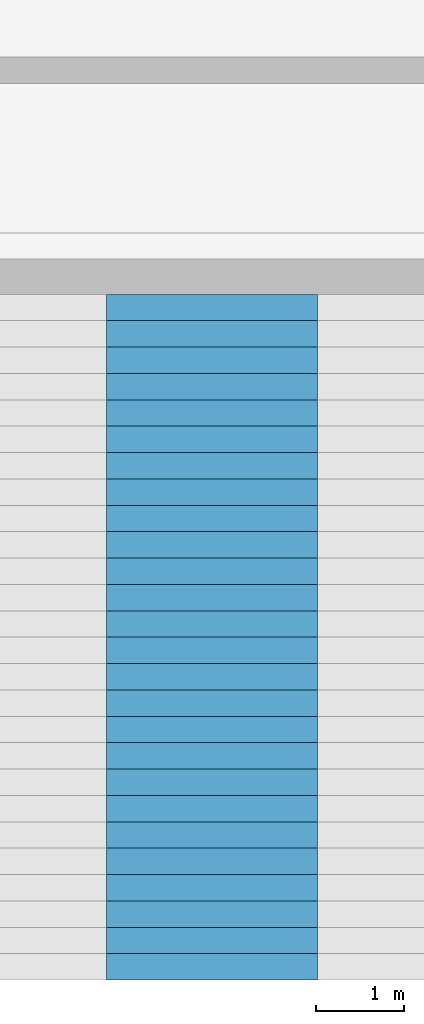
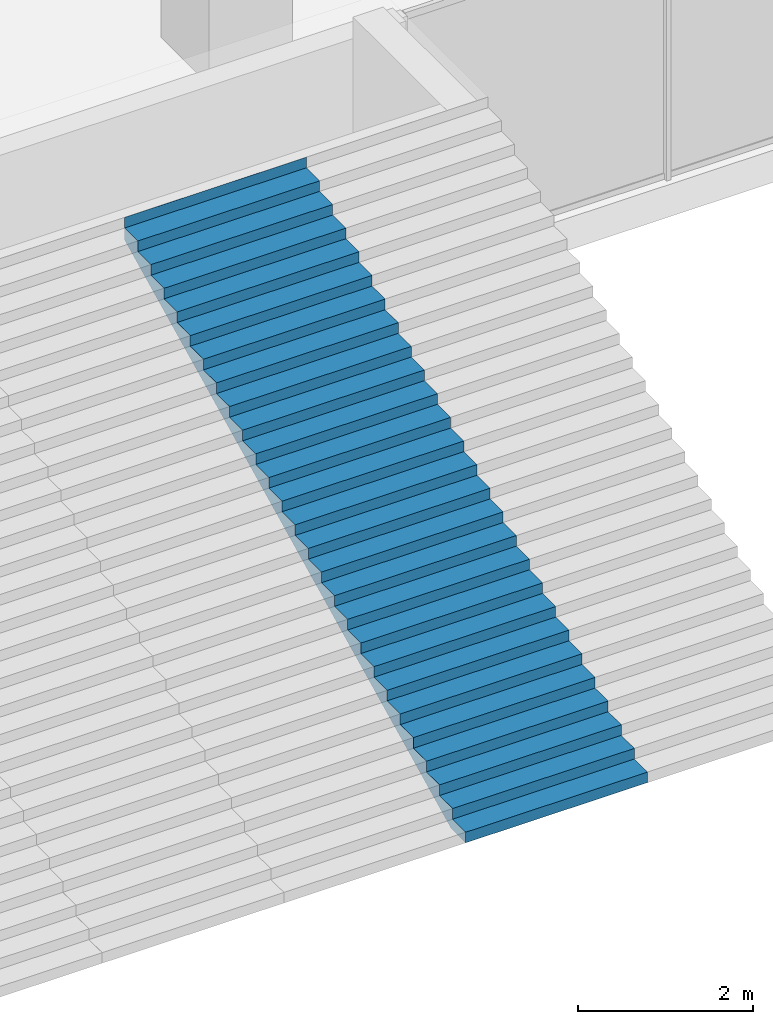
# One storey, part 31 of 45: 1 stair flight, 1 element without a shape of its own.
"""IFC4 building model written with IfcOpenShell, lengths in metres."""

from ifc_helpers import new_model, si_unit, direction, frame, origin, place, context, subcontext, project, spatial, triangles, material, type_object, element, aggregate, save


model = new_model("IFC4")

# Units and contexts
model_context = context("Model", 3, precision=1e-05, world=origin(), true_north=direction((0.0, 1.0)))
body_context = subcontext(model_context, "Body", "Model", "MODEL_VIEW")
ifc_project = project(units=[si_unit("LENGTHUNIT", "METRE"), si_unit("AREAUNIT", "SQUARE_METRE"), si_unit("VOLUMEUNIT", "CUBIC_METRE"), si_unit("PLANEANGLEUNIT", "RADIAN"), si_unit("MASSUNIT", "GRAM", prefix="KILO")], contexts=[model_context])

# Site, building, storey
site_placement = place(None, origin())
site = spatial("IfcSite", under=ifc_project, at=site_placement, CompositionType="ELEMENT")
building_placement = place(site_placement, origin())
building = spatial("IfcBuilding", under=site, at=building_placement, Name="Beryl Residences", CompositionType="ELEMENT")
storey_placement = place(building_placement, frame((0.0, 0.0, 5.0)))
storey = spatial("IfcBuildingStorey", under=building, at=storey_placement, Name="L01", CompositionType="ELEMENT", Elevation=5.0)

# Stair, stair flight
ifc_material_1 = material(Name="Precast concrete C40/50", Category="concrete")
stair_type = type_object("IfcStairType", Name="GS2 garden stair", PredefinedType="STRAIGHT_RUN_STAIR", material=ifc_material_1)
stair_placement = place(storey_placement, origin())
stair = element("IfcStair", 1, at=stair_placement, inside=storey, type_object=stair_type, Name="GS2 garden stair", PredefinedType="STRAIGHT_RUN_STAIR")
ifc_material_2 = material(Name="Precast concrete C40/50", Category="concrete")
stair_flight_type = type_object("IfcStairFlightType", Name="GF2 garden stair flight", PredefinedType="STRAIGHT", material=ifc_material_2)
stair_flight_placement = place(storey_placement, frame((8.39990234375, -42.199951171875, 0.0), z_axis=(0.0, 0.0, 1.0), x_axis=(0.0, 1.0, 0.0)))
stair_flight = element("IfcStairFlight", 2, at=stair_flight_placement, type_object=stair_flight_type, Name="GS2 flight 9", NumberOfRisers=27, NumberOfTreads=26, PredefinedType="STRAIGHT", RiserHeight=0.148148148, TreadLength=0.3, context=body_context, shape_type="Tessellation", body=[
    triangles([(0.0, -1.199951171875, 0.0), (0.0, -0.60009765625, 0.0), (0.0, 0.0, 0.0), (0.0, 0.60009765625, 0.0), (0.0, 1.199951171875, 0.0), (0.0, -1.199951171875, 0.148193359375), (0.0, -0.60009765625, 0.148193359375), (0.0, 0.0, 0.148193359375), (0.0, 0.60009765625, 0.148193359375), (0.0, 1.199951171875, 0.148193359375), (0.300048828125, -1.199951171875, 0.148193359375), (0.300048828125, -0.60009765625, 0.148193359375), (0.300048828125, 0.0, 0.148193359375), (0.300048828125, 0.60009765625, 0.148193359375), (0.300048828125, 1.199951171875, 0.148193359375), (0.300048828125, -1.199951171875, 0.29638671875), (0.300048828125, -0.60009765625, 0.29638671875), (0.300048828125, 0.0, 0.29638671875), (0.300048828125, 0.60009765625, 0.29638671875), (0.300048828125, 1.199951171875, 0.29638671875), (0.60009765625, -1.199951171875, 0.29638671875), (0.60009765625, -0.60009765625, 0.29638671875), (0.60009765625, 0.0, 0.29638671875), (0.60009765625, 0.60009765625, 0.29638671875), (0.60009765625, 1.199951171875, 0.29638671875), (0.60009765625, -1.199951171875, 0.4443359375), (0.60009765625, -0.60009765625, 0.4443359375), (0.60009765625, 0.0, 0.4443359375), (0.60009765625, 0.60009765625, 0.4443359375), (0.60009765625, 1.199951171875, 0.4443359375), (0.89990234375, -1.199951171875, 0.4443359375), (0.89990234375, -0.60009765625, 0.4443359375), (0.89990234375, 0.0, 0.4443359375), (0.89990234375, 0.60009765625, 0.4443359375), (0.89990234375, 1.199951171875, 0.4443359375), (0.89990234375, -1.199951171875, 0.592529296875), (0.89990234375, -0.60009765625, 0.592529296875), (0.89990234375, 0.0, 0.592529296875), (0.89990234375, 0.60009765625, 0.592529296875), (0.89990234375, 1.199951171875, 0.592529296875), (1.199951171875, -1.199951171875, 0.592529296875), (1.199951171875, -0.60009765625, 0.592529296875), (1.199951171875, 0.0, 0.592529296875), (1.199951171875, 0.60009765625, 0.592529296875), (1.199951171875, 1.199951171875, 0.592529296875), (1.199951171875, -1.199951171875, 0.74072265625), (1.199951171875, -0.60009765625, 0.74072265625), (1.199951171875, 0.0, 0.74072265625), (1.199951171875, 0.60009765625, 0.74072265625), (1.199951171875, 1.199951171875, 0.74072265625), (1.5, -1.199951171875, 0.74072265625), (1.5, -0.60009765625, 0.74072265625), (1.5, 0.0, 0.74072265625), (1.5, 0.60009765625, 0.74072265625), (1.5, 1.199951171875, 0.74072265625), (1.5, -1.199951171875, 0.888916015625), (1.5, -0.60009765625, 0.888916015625), (1.5, 0.0, 0.888916015625), (1.5, 0.60009765625, 0.888916015625), (1.5, 1.199951171875, 0.888916015625), (1.800048828125, -1.199951171875, 0.888916015625), (1.800048828125, -0.60009765625, 0.888916015625), (1.800048828125, 0.0, 0.888916015625), (1.800048828125, 0.60009765625, 0.888916015625), (1.800048828125, 1.199951171875, 0.888916015625), (1.800048828125, -1.199951171875, 1.037109375), (1.800048828125, -0.60009765625, 1.037109375), (1.800048828125, 0.0, 1.037109375), (1.800048828125, 0.60009765625, 1.037109375), (1.800048828125, 1.199951171875, 1.037109375), (2.10009765625, -1.199951171875, 1.037109375), (2.10009765625, -0.60009765625, 1.037109375), (2.10009765625, 0.0, 1.037109375), (2.10009765625, 0.60009765625, 1.037109375), (2.10009765625, 1.199951171875, 1.037109375), (2.10009765625, -1.199951171875, 1.185302734375), (2.10009765625, -0.60009765625, 1.185302734375), (2.10009765625, 0.0, 1.185302734375), (2.10009765625, 0.60009765625, 1.185302734375), (2.10009765625, 1.199951171875, 1.185302734375), (2.39990234375, -1.199951171875, 1.185302734375), (2.39990234375, -0.60009765625, 1.185302734375), (2.39990234375, 0.0, 1.185302734375), (2.39990234375, 0.60009765625, 1.185302734375), (2.39990234375, 1.199951171875, 1.185302734375), (2.39990234375, -1.199951171875, 1.333251953125), (2.39990234375, -0.60009765625, 1.333251953125), (2.39990234375, 0.0, 1.333251953125), (2.39990234375, 0.60009765625, 1.333251953125), (2.39990234375, 1.199951171875, 1.333251953125), (2.699951171875, -1.199951171875, 1.333251953125), (2.699951171875, -0.60009765625, 1.333251953125), (2.699951171875, 0.0, 1.333251953125), (2.699951171875, 0.60009765625, 1.333251953125), (2.699951171875, 1.199951171875, 1.333251953125), (2.699951171875, -1.199951171875, 1.4814453125), (2.699951171875, -0.60009765625, 1.4814453125), (2.699951171875, 0.0, 1.4814453125), (2.699951171875, 0.60009765625, 1.4814453125), (2.699951171875, 1.199951171875, 1.4814453125), (3.0, -1.199951171875, 1.4814453125), (3.0, -0.60009765625, 1.4814453125), (3.0, 0.0, 1.4814453125), (3.0, 0.60009765625, 1.4814453125), (3.0, 1.199951171875, 1.4814453125), (3.0, -1.199951171875, 1.629638671875), (3.0, -0.60009765625, 1.629638671875), (3.0, 0.0, 1.629638671875), (3.0, 0.60009765625, 1.629638671875), (3.0, 1.199951171875, 1.629638671875), (3.300048828125, -1.199951171875, 1.629638671875), (3.300048828125, -0.60009765625, 1.629638671875), (3.300048828125, 0.0, 1.629638671875), (3.300048828125, 0.60009765625, 1.629638671875), (3.300048828125, 1.199951171875, 1.629638671875), (3.300048828125, -1.199951171875, 1.77783203125), (3.300048828125, -0.60009765625, 1.77783203125), (3.300048828125, 0.0, 1.77783203125), (3.300048828125, 0.60009765625, 1.77783203125), (3.300048828125, 1.199951171875, 1.77783203125), (3.60009765625, -1.199951171875, 1.77783203125), (3.60009765625, -0.60009765625, 1.77783203125), (3.60009765625, 0.0, 1.77783203125), (3.60009765625, 0.60009765625, 1.77783203125), (3.60009765625, 1.199951171875, 1.77783203125), (3.60009765625, -1.199951171875, 1.926025390625), (3.60009765625, -0.60009765625, 1.926025390625), (3.60009765625, 0.0, 1.926025390625), (3.60009765625, 0.60009765625, 1.926025390625), (3.60009765625, 1.199951171875, 1.926025390625), (3.89990234375, -1.199951171875, 1.926025390625), (3.89990234375, -0.60009765625, 1.926025390625), (3.89990234375, 0.0, 1.926025390625), (3.89990234375, 0.60009765625, 1.926025390625), (3.89990234375, 1.199951171875, 1.926025390625), (3.89990234375, -1.199951171875, 2.073974609375), (3.89990234375, -0.60009765625, 2.073974609375), (3.89990234375, 0.0, 2.073974609375), (3.89990234375, 0.60009765625, 2.073974609375), (3.89990234375, 1.199951171875, 2.073974609375), (4.199951171875, -1.199951171875, 2.073974609375), (4.199951171875, -0.60009765625, 2.073974609375), (4.199951171875, 0.0, 2.073974609375), (4.199951171875, 0.60009765625, 2.073974609375), (4.199951171875, 1.199951171875, 2.073974609375), (4.199951171875, -1.199951171875, 2.22216796875), (4.199951171875, -0.60009765625, 2.22216796875), (4.199951171875, 0.0, 2.22216796875), (4.199951171875, 0.60009765625, 2.22216796875), (4.199951171875, 1.199951171875, 2.22216796875), (4.5, -1.199951171875, 2.22216796875), (4.5, -0.60009765625, 2.22216796875), (4.5, 0.0, 2.22216796875), (4.5, 0.60009765625, 2.22216796875), (4.5, 1.199951171875, 2.22216796875), (4.5, -1.199951171875, 2.370361328125), (4.5, -0.60009765625, 2.370361328125), (4.5, 0.0, 2.370361328125), (4.5, 0.60009765625, 2.370361328125), (4.5, 1.199951171875, 2.370361328125), (4.800048828125, -1.199951171875, 2.370361328125), (4.800048828125, -0.60009765625, 2.370361328125), (4.800048828125, 0.0, 2.370361328125), (4.800048828125, 0.60009765625, 2.370361328125), (4.800048828125, 1.199951171875, 2.370361328125), (4.800048828125, -1.199951171875, 2.5185546875), (4.800048828125, -0.60009765625, 2.5185546875), (4.800048828125, 0.0, 2.5185546875), (4.800048828125, 0.60009765625, 2.5185546875), (4.800048828125, 1.199951171875, 2.5185546875), (5.10009765625, -1.199951171875, 2.5185546875), (5.10009765625, -0.60009765625, 2.5185546875), (5.10009765625, 0.0, 2.5185546875), (5.10009765625, 0.60009765625, 2.5185546875), (5.10009765625, 1.199951171875, 2.5185546875), (5.10009765625, -1.199951171875, 2.666748046875), (5.10009765625, -0.60009765625, 2.666748046875), (5.10009765625, 0.0, 2.666748046875), (5.10009765625, 0.60009765625, 2.666748046875), (5.10009765625, 1.199951171875, 2.666748046875), (5.39990234375, -1.199951171875, 2.666748046875), (5.39990234375, -0.60009765625, 2.666748046875), (5.39990234375, 0.0, 2.666748046875), (5.39990234375, 0.60009765625, 2.666748046875), (5.39990234375, 1.199951171875, 2.666748046875), (5.39990234375, -1.199951171875, 2.814697265625), (5.39990234375, -0.60009765625, 2.814697265625), (5.39990234375, 0.0, 2.814697265625), (5.39990234375, 0.60009765625, 2.814697265625), (5.39990234375, 1.199951171875, 2.814697265625), (5.699951171875, -1.199951171875, 2.814697265625), (5.699951171875, -0.60009765625, 2.814697265625), (5.699951171875, 0.0, 2.814697265625), (5.699951171875, 0.60009765625, 2.814697265625), (5.699951171875, 1.199951171875, 2.814697265625), (5.699951171875, -1.199951171875, 2.962890625), (5.699951171875, -0.60009765625, 2.962890625), (5.699951171875, 0.0, 2.962890625), (5.699951171875, 0.60009765625, 2.962890625), (5.699951171875, 1.199951171875, 2.962890625), (6.0, -1.199951171875, 2.962890625), (6.0, -0.60009765625, 2.962890625), (6.0, 0.0, 2.962890625), (6.0, 0.60009765625, 2.962890625), (6.0, 1.199951171875, 2.962890625), (6.0, -1.199951171875, 3.111083984375), (6.0, -0.60009765625, 3.111083984375), (6.0, 0.0, 3.111083984375), (6.0, 0.60009765625, 3.111083984375), (6.0, 1.199951171875, 3.111083984375), (6.300048828125, -1.199951171875, 3.111083984375), (6.300048828125, -0.60009765625, 3.111083984375), (6.300048828125, 0.0, 3.111083984375), (6.300048828125, 0.60009765625, 3.111083984375), (6.300048828125, 1.199951171875, 3.111083984375), (6.300048828125, -1.199951171875, 3.25927734375), (6.300048828125, -0.60009765625, 3.25927734375), (6.300048828125, 0.0, 3.25927734375), (6.300048828125, 0.60009765625, 3.25927734375), (6.300048828125, 1.199951171875, 3.25927734375), (6.60009765625, -1.199951171875, 3.25927734375), (6.60009765625, -0.60009765625, 3.25927734375), (6.60009765625, 0.0, 3.25927734375), (6.60009765625, 0.60009765625, 3.25927734375), (6.60009765625, 1.199951171875, 3.25927734375), (6.60009765625, -1.199951171875, 3.407470703125), (6.60009765625, -0.60009765625, 3.407470703125), (6.60009765625, 0.0, 3.407470703125), (6.60009765625, 0.60009765625, 3.407470703125), (6.60009765625, 1.199951171875, 3.407470703125), (6.89990234375, -1.199951171875, 3.407470703125), (6.89990234375, -0.60009765625, 3.407470703125), (6.89990234375, 0.0, 3.407470703125), (6.89990234375, 0.60009765625, 3.407470703125), (6.89990234375, 1.199951171875, 3.407470703125), (6.89990234375, -1.199951171875, 3.5556640625), (6.89990234375, -0.60009765625, 3.5556640625), (6.89990234375, 0.0, 3.5556640625), (6.89990234375, 0.60009765625, 3.5556640625), (6.89990234375, 1.199951171875, 3.5556640625), (7.199951171875, -1.199951171875, 3.5556640625), (7.199951171875, -0.60009765625, 3.5556640625), (7.199951171875, 0.0, 3.5556640625), (7.199951171875, 0.60009765625, 3.5556640625), (7.199951171875, 1.199951171875, 3.5556640625), (7.199951171875, -1.199951171875, 3.70361328125), (7.199951171875, -0.60009765625, 3.70361328125), (7.199951171875, 0.0, 3.70361328125), (7.199951171875, 0.60009765625, 3.70361328125), (7.199951171875, 1.199951171875, 3.70361328125), (7.5, -1.199951171875, 3.70361328125), (7.5, -0.60009765625, 3.70361328125), (7.5, 0.0, 3.70361328125), (7.5, 0.60009765625, 3.70361328125), (7.5, 1.199951171875, 3.70361328125), (7.5, -1.199951171875, 3.851806640625), (7.5, -0.60009765625, 3.851806640625), (7.5, 0.0, 3.851806640625), (7.5, 0.60009765625, 3.851806640625), (7.5, 1.199951171875, 3.851806640625), (7.800048828125, -1.199951171875, 3.851806640625), (7.800048828125, -0.60009765625, 3.851806640625), (7.800048828125, 0.0, 3.851806640625), (7.800048828125, 0.60009765625, 3.851806640625), (7.800048828125, 1.199951171875, 3.851806640625), (7.800048828125, -1.199951171875, 4.0), (7.800048828125, -0.60009765625, 4.0), (7.800048828125, 0.0, 4.0), (7.800048828125, 0.60009765625, 4.0), (7.800048828125, 1.199951171875, 4.0), (7.801025390625, -1.199951171875, 4.0), (7.801025390625, -0.60009765625, 4.0), (7.801025390625, 0.0, 4.0), (7.801025390625, 0.60009765625, 4.0), (7.801025390625, 1.199951171875, 4.0), (7.801025390625, -1.199951171875, 3.6845703125), (7.801025390625, -0.60009765625, 3.6845703125), (7.801025390625, 0.0, 3.6845703125), (7.801025390625, 0.60009765625, 3.6845703125), (7.801025390625, 1.199951171875, 3.6845703125), (0.339599609375, -1.199951171875, 0.0), (0.339599609375, -0.60009765625, 0.0), (0.339599609375, 0.0, 0.0), (0.339599609375, 0.60009765625, 0.0), (0.339599609375, 1.199951171875, 0.0)], [[1, 6, 7], [1, 7, 2], [2, 7, 8], [2, 8, 3], [3, 8, 9], [3, 9, 4], [4, 9, 10], [4, 10, 5], [6, 11, 12], [6, 12, 7], [7, 12, 13], [7, 13, 8], [8, 13, 14], [8, 14, 9], [9, 14, 15], [9, 15, 10], [11, 16, 17], [11, 17, 12], [12, 17, 18], [12, 18, 13], [13, 18, 19], [13, 19, 14], [14, 19, 20], [14, 20, 15], [16, 21, 22], [16, 22, 17], [17, 22, 23], [17, 23, 18], [18, 23, 24], [18, 24, 19], [19, 24, 25], [19, 25, 20], [21, 26, 27], [21, 27, 22], [22, 27, 28], [22, 28, 23], [23, 28, 29], [23, 29, 24], [24, 29, 30], [24, 30, 25], [26, 31, 32], [26, 32, 27], [27, 32, 33], [27, 33, 28], [28, 33, 34], [28, 34, 29], [29, 34, 35], [29, 35, 30], [31, 36, 37], [31, 37, 32], [32, 37, 38], [32, 38, 33], [33, 38, 39], [33, 39, 34], [34, 39, 40], [34, 40, 35], [36, 41, 42], [36, 42, 37], [37, 42, 43], [37, 43, 38], [38, 43, 44], [38, 44, 39], [39, 44, 45], [39, 45, 40], [41, 46, 47], [41, 47, 42], [42, 47, 48], [42, 48, 43], [43, 48, 49], [43, 49, 44], [44, 49, 50], [44, 50, 45], [46, 51, 52], [46, 52, 47], [47, 52, 53], [47, 53, 48], [48, 53, 54], [48, 54, 49], [49, 54, 55], [49, 55, 50], [51, 56, 57], [51, 57, 52], [52, 57, 58], [52, 58, 53], [53, 58, 59], [53, 59, 54], [54, 59, 60], [54, 60, 55], [56, 61, 62], [56, 62, 57], [57, 62, 63], [57, 63, 58], [58, 63, 64], [58, 64, 59], [59, 64, 65], [59, 65, 60], [61, 66, 67], [61, 67, 62], [62, 67, 68], [62, 68, 63], [63, 68, 69], [63, 69, 64], [64, 69, 70], [64, 70, 65], [66, 71, 72], [66, 72, 67], [67, 72, 73], [67, 73, 68], [68, 73, 74], [68, 74, 69], [69, 74, 75], [69, 75, 70], [71, 76, 77], [71, 77, 72], [72, 77, 78], [72, 78, 73], [73, 78, 79], [73, 79, 74], [74, 79, 80], [74, 80, 75], [76, 81, 82], [76, 82, 77], [77, 82, 83], [77, 83, 78], [78, 83, 84], [78, 84, 79], [79, 84, 85], [79, 85, 80], [81, 86, 87], [81, 87, 82], [82, 87, 88], [82, 88, 83], [83, 88, 89], [83, 89, 84], [84, 89, 90], [84, 90, 85], [86, 91, 92], [86, 92, 87], [87, 92, 93], [87, 93, 88], [88, 93, 94], [88, 94, 89], [89, 94, 95], [89, 95, 90], [91, 96, 97], [91, 97, 92], [92, 97, 98], [92, 98, 93], [93, 98, 99], [93, 99, 94], [94, 99, 100], [94, 100, 95], [96, 101, 102], [96, 102, 97], [97, 102, 103], [97, 103, 98], [98, 103, 104], [98, 104, 99], [99, 104, 105], [99, 105, 100], [101, 106, 107], [101, 107, 102], [102, 107, 108], [102, 108, 103], [103, 108, 109], [103, 109, 104], [104, 109, 110], [104, 110, 105], [106, 111, 112], [106, 112, 107], [107, 112, 113], [107, 113, 108], [108, 113, 114], [108, 114, 109], [109, 114, 115], [109, 115, 110], [111, 116, 117], [111, 117, 112], [112, 117, 118], [112, 118, 113], [113, 118, 119], [113, 119, 114], [114, 119, 120], [114, 120, 115], [116, 121, 122], [116, 122, 117], [117, 122, 123], [117, 123, 118], [118, 123, 124], [118, 124, 119], [119, 124, 125], [119, 125, 120], [121, 126, 127], [121, 127, 122], [122, 127, 128], [122, 128, 123], [123, 128, 129], [123, 129, 124], [124, 129, 130], [124, 130, 125], [126, 131, 132], [126, 132, 127], [127, 132, 133], [127, 133, 128], [128, 133, 134], [128, 134, 129], [129, 134, 135], [129, 135, 130], [131, 136, 137], [131, 137, 132], [132, 137, 138], [132, 138, 133], [133, 138, 139], [133, 139, 134], [134, 139, 140], [134, 140, 135], [136, 141, 142], [136, 142, 137], [137, 142, 143], [137, 143, 138], [138, 143, 144], [138, 144, 139], [139, 144, 145], [139, 145, 140], [141, 146, 147], [141, 147, 142], [142, 147, 148], [142, 148, 143], [143, 148, 149], [143, 149, 144], [144, 149, 150], [144, 150, 145], [146, 151, 152], [146, 152, 147], [147, 152, 153], [147, 153, 148], [148, 153, 154], [148, 154, 149], [149, 154, 155], [149, 155, 150], [151, 156, 157], [151, 157, 152], [152, 157, 158], [152, 158, 153], [153, 158, 159], [153, 159, 154], [154, 159, 160], [154, 160, 155], [156, 161, 162], [156, 162, 157], [157, 162, 163], [157, 163, 158], [158, 163, 164], [158, 164, 159], [159, 164, 165], [159, 165, 160], [161, 166, 167], [161, 167, 162], [162, 167, 168], [162, 168, 163], [163, 168, 169], [163, 169, 164], [164, 169, 170], [164, 170, 165], [166, 171, 172], [166, 172, 167], [167, 172, 173], [167, 173, 168], [168, 173, 174], [168, 174, 169], [169, 174, 175], [169, 175, 170], [171, 176, 177], [171, 177, 172], [172, 177, 178], [172, 178, 173], [173, 178, 179], [173, 179, 174], [174, 179, 180], [174, 180, 175], [176, 181, 182], [176, 182, 177], [177, 182, 183], [177, 183, 178], [178, 183, 184], [178, 184, 179], [179, 184, 185], [179, 185, 180], [181, 186, 187], [181, 187, 182], [182, 187, 188], [182, 188, 183], [183, 188, 189], [183, 189, 184], [184, 189, 190], [184, 190, 185], [186, 191, 192], [186, 192, 187], [187, 192, 193], [187, 193, 188], [188, 193, 194], [188, 194, 189], [189, 194, 195], [189, 195, 190], [191, 196, 197], [191, 197, 192], [192, 197, 198], [192, 198, 193], [193, 198, 199], [193, 199, 194], [194, 199, 200], [194, 200, 195], [196, 201, 202], [196, 202, 197], [197, 202, 203], [197, 203, 198], [198, 203, 204], [198, 204, 199], [199, 204, 205], [199, 205, 200], [201, 206, 207], [201, 207, 202], [202, 207, 208], [202, 208, 203], [203, 208, 209], [203, 209, 204], [204, 209, 210], [204, 210, 205], [206, 211, 212], [206, 212, 207], [207, 212, 213], [207, 213, 208], [208, 213, 214], [208, 214, 209], [209, 214, 215], [209, 215, 210], [211, 216, 217], [211, 217, 212], [212, 217, 218], [212, 218, 213], [213, 218, 219], [213, 219, 214], [214, 219, 220], [214, 220, 215], [216, 221, 222], [216, 222, 217], [217, 222, 223], [217, 223, 218], [218, 223, 224], [218, 224, 219], [219, 224, 225], [219, 225, 220], [221, 226, 227], [221, 227, 222], [222, 227, 228], [222, 228, 223], [223, 228, 229], [223, 229, 224], [224, 229, 230], [224, 230, 225], [226, 231, 232], [226, 232, 227], [227, 232, 233], [227, 233, 228], [228, 233, 234], [228, 234, 229], [229, 234, 235], [229, 235, 230], [231, 236, 237], [231, 237, 232], [232, 237, 238], [232, 238, 233], [233, 238, 239], [233, 239, 234], [234, 239, 240], [234, 240, 235], [236, 241, 242], [236, 242, 237], [237, 242, 243], [237, 243, 238], [238, 243, 244], [238, 244, 239], [239, 244, 245], [239, 245, 240], [241, 246, 247], [241, 247, 242], [242, 247, 248], [242, 248, 243], [243, 248, 249], [243, 249, 244], [244, 249, 250], [244, 250, 245], [246, 251, 252], [246, 252, 247], [247, 252, 253], [247, 253, 248], [248, 253, 254], [248, 254, 249], [249, 254, 255], [249, 255, 250], [251, 256, 257], [251, 257, 252], [252, 257, 258], [252, 258, 253], [253, 258, 259], [253, 259, 254], [254, 259, 260], [254, 260, 255], [256, 261, 262], [256, 262, 257], [257, 262, 263], [257, 263, 258], [258, 263, 264], [258, 264, 259], [259, 264, 265], [259, 265, 260], [261, 266, 267], [261, 267, 262], [262, 267, 268], [262, 268, 263], [263, 268, 269], [263, 269, 264], [264, 269, 270], [264, 270, 265], [266, 271, 272], [266, 272, 267], [267, 272, 273], [267, 273, 268], [268, 273, 274], [268, 274, 269], [269, 274, 275], [269, 275, 270], [271, 276, 277], [271, 277, 272], [272, 277, 278], [272, 278, 273], [273, 278, 279], [273, 279, 274], [274, 279, 280], [274, 280, 275], [276, 281, 282], [276, 282, 277], [277, 282, 283], [277, 283, 278], [278, 283, 284], [278, 284, 279], [279, 284, 285], [279, 285, 280], [281, 1, 2], [281, 2, 282], [282, 2, 3], [282, 3, 283], [283, 3, 4], [283, 4, 284], [284, 4, 5], [284, 5, 285], [1, 281, 276], [5, 280, 285], [276, 271, 266], [280, 270, 275], [276, 266, 261], [280, 265, 270], [276, 261, 256], [280, 260, 265], [276, 256, 251], [280, 255, 260], [276, 251, 246], [280, 250, 255], [276, 246, 241], [280, 245, 250], [241, 236, 231], [245, 235, 240], [276, 241, 231], [280, 235, 245], [231, 226, 221], [235, 225, 230], [276, 231, 221], [280, 225, 235], [221, 216, 211], [225, 215, 220], [276, 221, 211], [280, 215, 225], [211, 206, 201], [215, 205, 210], [276, 211, 201], [280, 205, 215], [201, 196, 191], [205, 195, 200], [276, 201, 191], [280, 195, 205], [191, 186, 181], [195, 185, 190], [276, 191, 181], [280, 185, 195], [181, 176, 171], [185, 175, 180], [276, 181, 171], [280, 175, 185], [171, 166, 161], [175, 165, 170], [276, 171, 161], [280, 165, 175], [161, 156, 151], [165, 155, 160], [276, 161, 151], [280, 155, 165], [151, 146, 141], [155, 145, 150], [276, 151, 141], [280, 145, 155], [141, 136, 131], [145, 135, 140], [276, 141, 131], [280, 135, 145], [131, 126, 121], [135, 125, 130], [276, 131, 121], [280, 125, 135], [121, 116, 111], [125, 115, 120], [276, 121, 111], [280, 115, 125], [111, 106, 101], [115, 105, 110], [276, 111, 101], [280, 105, 115], [101, 96, 91], [105, 95, 100], [276, 101, 91], [280, 95, 105], [91, 86, 81], [95, 85, 90], [276, 91, 81], [280, 85, 95], [81, 76, 71], [85, 75, 80], [276, 81, 71], [280, 75, 85], [71, 66, 61], [75, 65, 70], [276, 71, 61], [280, 65, 75], [61, 56, 51], [65, 55, 60], [276, 61, 51], [280, 55, 65], [51, 46, 41], [55, 45, 50], [276, 51, 41], [280, 45, 55], [41, 36, 31], [45, 35, 40], [276, 41, 31], [280, 35, 45], [1, 276, 31], [5, 35, 280], [31, 26, 21], [35, 25, 30], [21, 16, 11], [25, 15, 20], [31, 21, 11], [35, 15, 25], [1, 31, 11], [5, 15, 35], [11, 6, 1], [15, 5, 10]], closed=True),
])
aggregate(stair, [stair_flight])

save(model, "model.ifc")
